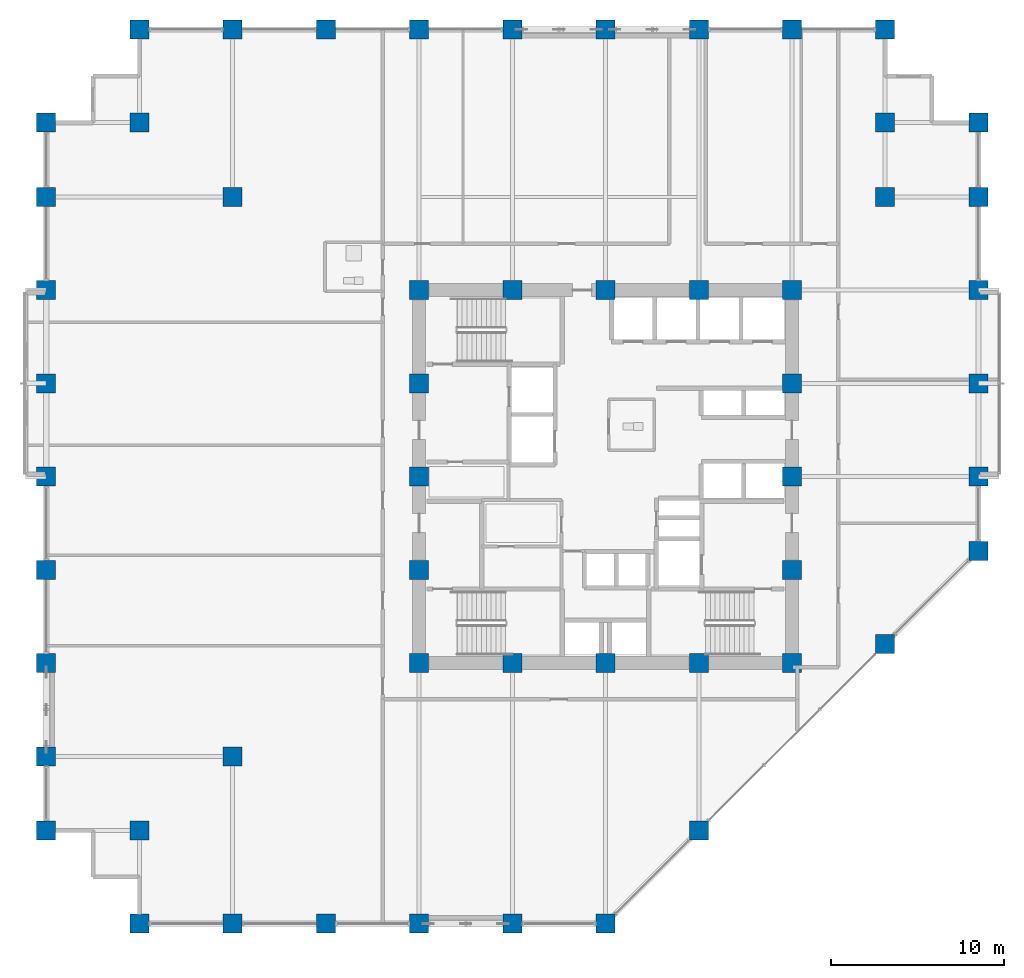
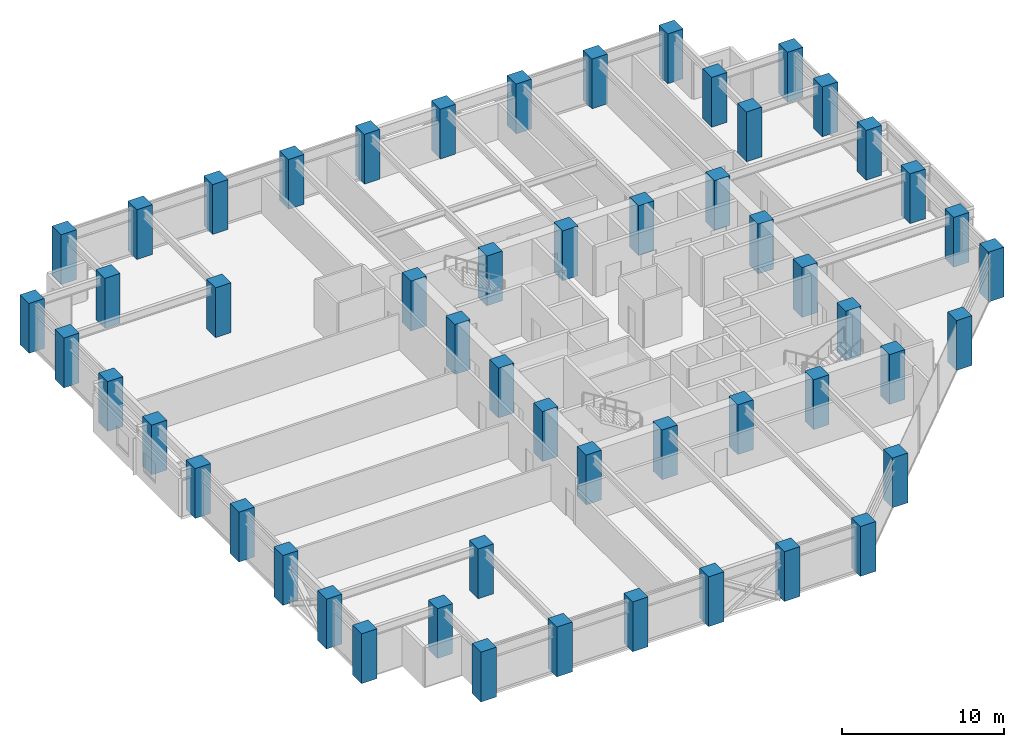
# One storey, part 1 of 26: 54 columns.
"""IFC4 building model written with IfcOpenShell, lengths in metres."""

from ifc_helpers import new_model, si_unit, direction, frame, origin, origin_2d, place, context, subcontext, project, spatial, rectangle, extrude, material, material_profile, profile_set, type_object, element, save


model = new_model("IFC4")

# Units and contexts
model_context = context("Model", 3, precision=1e-05, world=origin(), true_north=direction((0.0, 1.0)))
body_context = subcontext(model_context, "Body", "Model", "MODEL_VIEW")
ifc_project = project(units=[si_unit("LENGTHUNIT", "METRE"), si_unit("AREAUNIT", "SQUARE_METRE"), si_unit("VOLUMEUNIT", "CUBIC_METRE"), si_unit("PLANEANGLEUNIT", "RADIAN"), si_unit("MASSUNIT", "GRAM", prefix="KILO")], contexts=[model_context])

# Site, building, storey
site_placement = place(None, origin())
site = spatial("IfcSite", under=ifc_project, at=site_placement, CompositionType="ELEMENT")
building_placement = place(site_placement, origin())
building = spatial("IfcBuilding", under=site, at=building_placement, Name="Surkhivell Harbour Commons", CompositionType="ELEMENT")
storey_placement = place(building_placement, frame((0.0, 0.0, 102.0)))
storey = spatial("IfcBuildingStorey", under=building, at=storey_placement, Name="L26", CompositionType="ELEMENT", Elevation=102.0)

# Columns
ifc_material = material(Name="Concrete C60/75", Category="concrete")
ifc_material_profile = material_profile(ifc_material, rectangle(XDim=1.10009765625, YDim=1.10009765625, at=origin_2d()), Name="RC-COL-1100x1100")
ifc_profile_set = profile_set([ifc_material_profile], Name="Concrete C60/75")
column_type = type_object("IfcColumnType", Name="COL-TUBE-Z2A", PredefinedType="COLUMN", material=ifc_profile_set)
for number, where, z_axis, x_axis, name in (
    (1, (-32.39990234375, -20.5, 0.0), (0.0, 0.0, 1.0), (1.0, 0.0, 0.0), "L26 Column CT-2A (-32.4,-20.5)"),
    (2, (-32.39990234375, -16.199951171875, 0.0), (0.0, 0.0, 1.0), (1.0, 0.0, 0.0), "L26 Column CT-2A (-32.4,-16.2)"),
    (3, (-32.39990234375, -10.800048828125, 0.0), (0.0, 0.0, 1.0), (1.0, 0.0, 0.0), "L26 Column CT-2A (-32.4,-10.8)"),
    (4, (-32.39990234375, -5.39990234375, 0.0), (0.0, 0.0, 1.0), (1.0, 0.0, 0.0), "L26 Column CT-2A (-32.4,-5.4)"),
    (5, (-32.39990234375, 0.0, 0.0), (0.0, 0.0, 1.0), (1.0, 0.0, 0.0), "L26 Column CT-2A (-32.4,0.0)"),
    (6, (-32.39990234375, 5.39990234375, 0.0), (0.0, 0.0, 1.0), (1.0, 0.0, 0.0), "L26 Column CT-2A (-32.4,5.4)"),
    (7, (-32.39990234375, 10.800048828125, 0.0), (0.0, 0.0, 1.0), (1.0, 0.0, 0.0), "L26 Column CT-2A (-32.4,10.8)"),
    (8, (-32.39990234375, 16.199951171875, 0.0), (0.0, 0.0, 1.0), (1.0, 0.0, 0.0), "L26 Column CT-2A (-32.4,16.2)"),
    (9, (-32.39990234375, 20.5, 0.0), (0.0, 0.0, 1.0), (1.0, 0.0, 0.0), "L26 Column CT-2A (-32.4,20.5)"),
    (10, (-27.0, -25.89990234375, 0.0), (0.0, 0.0, 1.0), (1.0, 0.0, 0.0), "L26 Column CT-2A (-27.0,-25.9)"),
    (11, (-27.0, -20.5, 0.0), (0.0, 0.0, 1.0), (1.0, 0.0, 0.0), "L26 Column CT-2A (-27.0,-20.5)"),
    (12, (-27.0, 20.5, 0.0), (0.0, 0.0, 1.0), (1.0, 0.0, 0.0), "L26 Column CT-2A (-27.0,20.5)"),
    (13, (-27.0, 25.89990234375, 0.0), (0.0, 0.0, 1.0), (1.0, 0.0, 0.0), "L26 Column CT-2A (-27.0,25.9)"),
    (14, (-21.60009765625, -25.89990234375, 0.0), (0.0, 0.0, 1.0), (1.0, 0.0, 0.0), "L26 Column CT-2A (-21.6,-25.9)"),
    (15, (-21.60009765625, -16.199951171875, 0.0), (0.0, 0.0, 1.0), (1.0, 0.0, 0.0), "L26 Column CT-2A (-21.6,-16.2)"),
    (16, (-21.60009765625, 16.199951171875, 0.0), (0.0, 0.0, 1.0), (1.0, 0.0, 0.0), "L26 Column CT-2A (-21.6,16.2)"),
    (17, (-21.60009765625, 25.89990234375, 0.0), (0.0, 0.0, 1.0), (1.0, 0.0, 0.0), "L26 Column CT-2A (-21.6,25.9)"),
    (18, (-16.199951171875, -25.89990234375, 0.0), (0.0, 0.0, 1.0), (1.0, 0.0, 0.0), "L26 Column CT-2A (-16.2,-25.9)"),
    (19, (-16.199951171875, 25.89990234375, 0.0), (0.0, 0.0, 1.0), (1.0, 0.0, 0.0), "L26 Column CT-2A (-16.2,25.9)"),
    (20, (-10.800048828125, -25.89990234375, 0.0), (0.0, 0.0, 1.0), (1.0, 0.0, 0.0), "L26 Column CT-2A (-10.8,-25.9)"),
    (21, (-10.800048828125, -10.800048828125, 0.0), (0.0, 0.0, 1.0), (1.0, 0.0, 0.0), "L26 Column CT-2A (-10.8,-10.8)"),
    (22, (-10.800048828125, -5.39990234375, 0.0), (0.0, 0.0, 1.0), (1.0, 0.0, 0.0), "L26 Column CT-2A (-10.8,-5.4)"),
    (23, (-10.800048828125, 0.0, 0.0), (0.0, 0.0, 1.0), (1.0, 0.0, 0.0), "L26 Column CT-2A (-10.8,0.0)"),
    (24, (-10.800048828125, 5.39990234375, 0.0), (0.0, 0.0, 1.0), (1.0, 0.0, 0.0), "L26 Column CT-2A (-10.8,5.4)"),
    (25, (-10.800048828125, 10.800048828125, 0.0), (0.0, 0.0, 1.0), (1.0, 0.0, 0.0), "L26 Column CT-2A (-10.8,10.8)"),
    (26, (-10.800048828125, 25.89990234375, 0.0), (0.0, 0.0, 1.0), (1.0, 0.0, 0.0), "L26 Column CT-2A (-10.8,25.9)"),
    (27, (-5.39990234375, -25.89990234375, 0.0), (0.0, 0.0, 1.0), (1.0, 0.0, 0.0), "L26 Column CT-2A (-5.4,-25.9)"),
    (28, (-5.39990234375, -10.800048828125, 0.0), (0.0, 0.0, 1.0), (1.0, 0.0, 0.0), "L26 Column CT-2A (-5.4,-10.8)"),
    (29, (-5.39990234375, 10.800048828125, 0.0), (0.0, 0.0, 1.0), (1.0, 0.0, 0.0), "L26 Column CT-2A (-5.4,10.8)"),
    (30, (-5.39990234375, 25.89990234375, 0.0), (0.0, 0.0, 1.0), (1.0, 0.0, 0.0), "L26 Column CT-2A (-5.4,25.9)"),
    (31, (0.0, -25.89990234375, 0.0), (0.0, 0.0, 1.0), (1.0, 0.0, 0.0), "L26 Column CT-2A (-0.0,-25.9)"),
    (32, (0.0, -10.800048828125, 0.0), (0.0, 0.0, 1.0), (1.0, 0.0, 0.0), "L26 Column CT-2A (0.0,-10.8)"),
    (33, (0.0, 10.800048828125, 0.0), (0.0, 0.0, 1.0), (1.0, 0.0, 0.0), "L26 Column CT-2A (0.0,10.8)"),
    (34, (0.0, 25.89990234375, 0.0), (0.0, 0.0, 1.0), (1.0, 0.0, 0.0), "L26 Column CT-2A (-0.0,25.9)"),
    (35, (5.39990234375, -20.5, 0.0), (0.0, 0.0, 1.0), (1.0, 0.0, 0.0), "L26 Column CT-2A (5.4,-20.5)"),
    (36, (5.39990234375, -10.800048828125, 0.0), (0.0, 0.0, 1.0), (1.0, 0.0, 0.0), "L26 Column CT-2A (5.4,-10.8)"),
    (37, (5.39990234375, 10.800048828125, 0.0), (0.0, 0.0, 1.0), (1.0, 0.0, 0.0), "L26 Column CT-2A (5.4,10.8)"),
    (38, (5.39990234375, 25.89990234375, 0.0), (0.0, 0.0, 1.0), (1.0, 0.0, 0.0), "L26 Column CT-2A (5.4,25.9)"),
    (39, (10.800048828125, -10.800048828125, 0.0), (0.0, 0.0, 1.0), (1.0, 0.0, 0.0), "L26 Column CT-2A (10.8,-10.8)"),
    (40, (10.800048828125, -5.39990234375, 0.0), (0.0, 0.0, 1.0), (1.0, 0.0, 0.0), "L26 Column CT-2A (10.8,-5.4)"),
    (41, (10.800048828125, 0.0, 0.0), (0.0, 0.0, 1.0), (1.0, 0.0, 0.0), "L26 Column CT-2A (10.8,0.0)"),
    (42, (10.800048828125, 5.39990234375, 0.0), (0.0, 0.0, 1.0), (1.0, 0.0, 0.0), "L26 Column CT-2A (10.8,5.4)"),
    (43, (10.800048828125, 10.800048828125, 0.0), (0.0, 0.0, 1.0), (1.0, 0.0, 0.0), "L26 Column CT-2A (10.8,10.8)"),
    (44, (10.800048828125, 25.89990234375, 0.0), (0.0, 0.0, 1.0), (1.0, 0.0, 0.0), "L26 Column CT-2A (10.8,25.9)"),
    (45, (16.199951171875, -9.699951171875, 0.0), (0.0, 0.0, 1.0), (1.0, 0.0, 0.0), "L26 Column CT-2A (16.2,-9.7)"),
    (46, (16.199951171875, 16.199951171875, 0.0), (0.0, 0.0, 1.0), (1.0, 0.0, 0.0), "L26 Column CT-2A (16.2,16.2)"),
    (47, (16.199951171875, 20.5, 0.0), (0.0, 0.0, 1.0), (1.0, 0.0, 0.0), "L26 Column CT-2A (16.2,20.5)"),
    (48, (16.199951171875, 25.89990234375, 0.0), (0.0, 0.0, 1.0), (1.0, 0.0, 0.0), "L26 Column CT-2A (16.2,25.9)"),
    (49, (21.60009765625, -4.300048828125, 0.0), (0.0, 0.0, 1.0), (1.0, 0.0, 0.0), "L26 Column CT-2A (21.6,-4.3)"),
    (50, (21.60009765625, 0.0, 0.0), (0.0, 0.0, 1.0), (1.0, 0.0, 0.0), "L26 Column CT-2A (21.6,0.0)"),
    (51, (21.60009765625, 5.39990234375, 0.0), (0.0, 0.0, 1.0), (1.0, 0.0, 0.0), "L26 Column CT-2A (21.6,5.4)"),
    (52, (21.60009765625, 10.800048828125, 0.0), (0.0, 0.0, 1.0), (1.0, 0.0, 0.0), "L26 Column CT-2A (21.6,10.8)"),
    (53, (21.60009765625, 16.199951171875, 0.0), (0.0, 0.0, 1.0), (1.0, 0.0, 0.0), "L26 Column CT-2A (21.6,16.2)"),
    (54, (21.60009765625, 20.5, 0.0), (0.0, 0.0, 1.0), (1.0, 0.0, 0.0), "L26 Column CT-2A (21.6,20.5)"),
):
    element("IfcColumn", number, at=place(storey_placement, frame(where, z_axis=z_axis, x_axis=x_axis)), inside=storey, type_object=column_type, Name=name, PredefinedType="COLUMN", context=body_context, shape_type="SweptSolid", body=[
        extrude(rectangle(XDim=1.10009765625, YDim=1.10009765625, at=origin_2d()), origin(), (0.0, 0.0, 1.0), 3.75),
    ])

save(model, "model.ifc")
